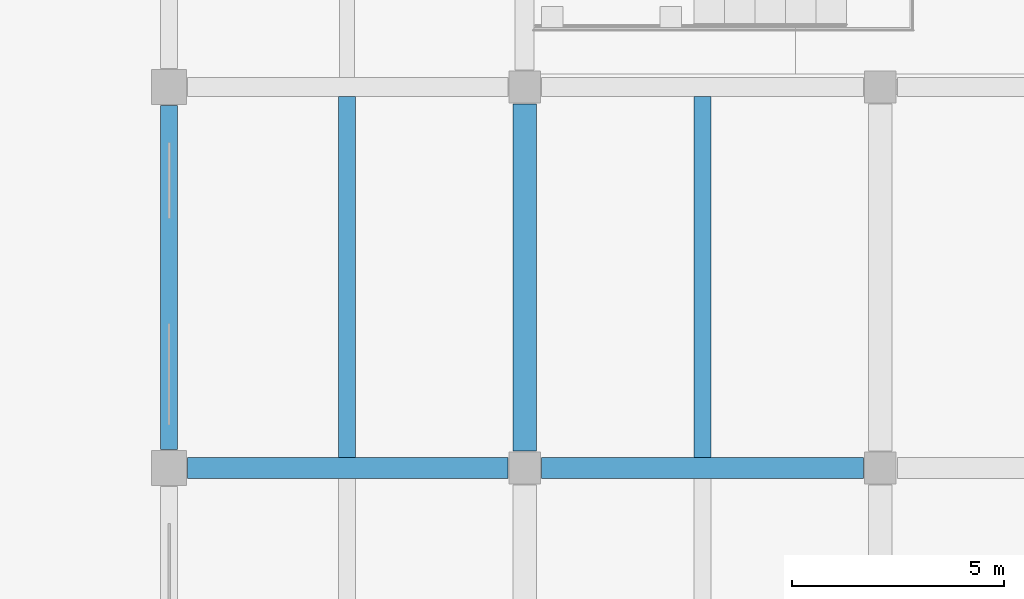
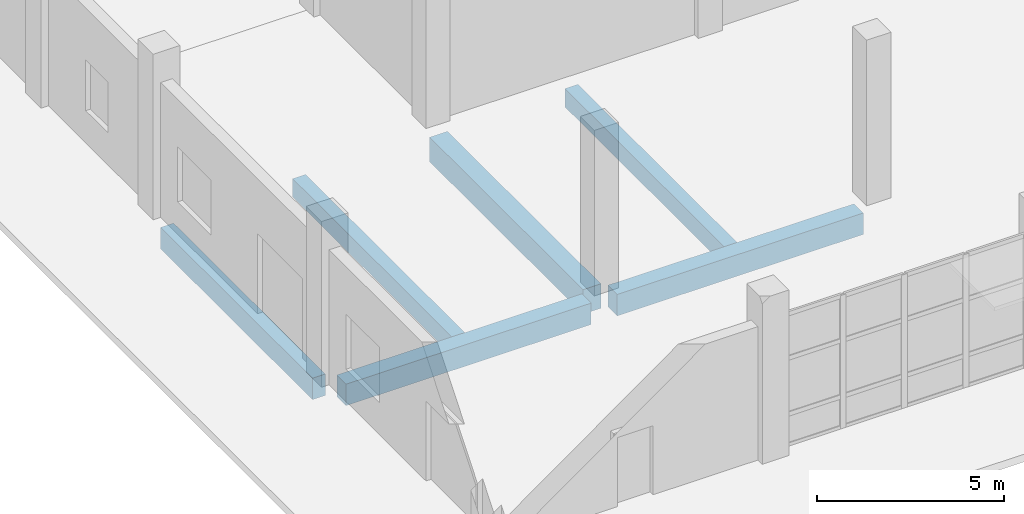
# One storey, part 5 of 78: 6 beams.
"""IFC4 building model written with IfcOpenShell, lengths in metres."""

from ifc_helpers import new_model, si_unit, direction, frame, origin, origin_2d, place, context, subcontext, project, spatial, rectangle, extrude, material, material_profile, profile_set, type_object, element, save


model = new_model("IFC4")

# Units and contexts
model_context = context("Model", 3, precision=1e-05, world=origin(), true_north=direction((0.0, 1.0)))
body_context = subcontext(model_context, "Body", "Model", "MODEL_VIEW")
ifc_project = project(units=[si_unit("LENGTHUNIT", "METRE"), si_unit("AREAUNIT", "SQUARE_METRE"), si_unit("VOLUMEUNIT", "CUBIC_METRE"), si_unit("PLANEANGLEUNIT", "RADIAN"), si_unit("MASSUNIT", "GRAM", prefix="KILO")], contexts=[model_context])

# Site, building, storey
site_placement = place(None, origin())
site = spatial("IfcSite", under=ifc_project, at=site_placement, CompositionType="ELEMENT")
building_placement = place(site_placement, origin())
building = spatial("IfcBuilding", under=site, at=building_placement, Name="Pellamere Symphony Hall", CompositionType="ELEMENT")
storey_placement = place(building_placement, origin())
storey = spatial("IfcBuildingStorey", under=building, at=storey_placement, Name="L00", CompositionType="ELEMENT", Elevation=0.0)

# Beams
ifc_material = material(Name="Concrete 40 MPa", Category="concrete")
ifc_material_profile_1 = material_profile(ifc_material, rectangle(XDim=0.550048828125, YDim=0.800048828125, at=origin_2d()), Name="RC 550x800")
ifc_profile_set_1 = profile_set([ifc_material_profile_1], Name="Concrete 40 MPa")
beam_type_1 = type_object("IfcBeamType", Name="RC CB-05 550x800", PredefinedType="BEAM", material=ifc_profile_set_1)
beam_1_placement = place(storey_placement, frame((8.39990234375, 9.39990234375, -0.699951171875), z_axis=(0.0, 1.0, 0.0), x_axis=(-1.0, 0.0, 0.0)))
element("IfcBeam", 1, at=beam_1_placement, inside=storey, type_object=beam_type_1, Name="Girder CB-05-Y0205 (L00)", PredefinedType="BEAM", context=body_context, shape_type="SweptSolid", body=[
    extrude(rectangle(XDim=0.550048828125, YDim=0.800048828125, at=origin_2d()), origin(), (0.0, 0.0, 1.0), 8.2001953125),
])
ifc_material_profile_2 = material_profile(ifc_material, rectangle(XDim=0.5, YDim=0.699951171875, at=origin_2d()), Name="RC 500x700")
ifc_profile_set_2 = profile_set([ifc_material_profile_2], Name="Concrete 40 MPa")
beam_type_2 = type_object("IfcBeamType", Name="RC CB-07 500x700", PredefinedType="BEAM", material=ifc_profile_set_2)
beam_2_placement = place(storey_placement, frame((0.43994140625, 9.0, -0.64990234375), z_axis=(1.0, 0.0, 0.0), x_axis=(0.0, 1.0, 0.0)))
element("IfcBeam", 2, at=beam_2_placement, inside=storey, type_object=beam_type_2, Name="Girder CB-07-X0006 (L00)", PredefinedType="BEAM", context=body_context, shape_type="SweptSolid", body=[
    extrude(rectangle(XDim=0.5, YDim=0.699951171875, at=origin_2d()), origin(), (0.0, 0.0, 1.0), 7.56005859375),
])
beam_3_placement = place(storey_placement, frame((8.800048828125, 9.0, -0.64990234375), z_axis=(1.0, 0.0, 0.0), x_axis=(0.0, 1.0, 0.0)))
element("IfcBeam", 3, at=beam_3_placement, inside=storey, type_object=beam_type_2, Name="Girder CB-07-X0007 (L00)", PredefinedType="BEAM", context=body_context, shape_type="SweptSolid", body=[
    extrude(rectangle(XDim=0.5, YDim=0.699951171875, at=origin_2d()), origin(), (0.0, 0.0, 1.0), 7.599853515625),
])
ifc_material_profile_3 = material_profile(ifc_material, rectangle(XDim=0.39990234375, YDim=0.60009765625, at=origin_2d()), Name="RC 400x600")
ifc_profile_set_3 = profile_set([ifc_material_profile_3], Name="Concrete 40 MPa")
beam_type_3 = type_object("IfcBeamType", Name="RC CB-09 400x600", PredefinedType="BEAM", material=ifc_profile_set_3)
for number, where, z_axis, x_axis, name in (
    (4, (4.199951171875, 9.25, -0.614990234375), (0.0, 1.0, 0.0), (-1.0, 0.0, 0.0), "Secondary Floor Beam CB-09-M0001 (L00)"),
    (5, (12.60009765625, 9.25, -0.614990234375), (0.0, 1.0, 0.0), (-1.0, 0.0, 0.0), "Secondary Floor Beam CB-09-M0101 (L00)"),
):
    element("IfcBeam", number, at=place(storey_placement, frame(where, z_axis=z_axis, x_axis=x_axis)), inside=storey, type_object=beam_type_3, Name=name, PredefinedType="BEAM", context=body_context, shape_type="SweptSolid", body=[
        extrude(rectangle(XDim=0.39990234375, YDim=0.60009765625, at=origin_2d()), origin(), (0.0, 0.0, 1.0), 8.52490234375),
    ])
ifc_material_profile_4 = material_profile(ifc_material, rectangle(XDim=0.39990234375, YDim=0.699951171875, at=origin_2d()), Name="RC 400x700")
ifc_profile_set_4 = profile_set([ifc_material_profile_4], Name="Concrete 40 MPa")
beam_type_4 = type_object("IfcBeamType", Name="RC CB-13 400x700", PredefinedType="SPANDREL", material=ifc_profile_set_4)
beam_4_placement = place(storey_placement, frame((0.0, 9.43994140625, -0.64990234375), z_axis=(0.0, 1.0, 0.0), x_axis=(-1.0, 0.0, 0.0)))
element("IfcBeam", 6, at=beam_4_placement, inside=storey, type_object=beam_type_4, Name="Girder CB-13-Y0198 (L00)", PredefinedType="SPANDREL", context=body_context, shape_type="SweptSolid", body=[
    extrude(rectangle(XDim=0.39990234375, YDim=0.699951171875, at=origin_2d()), origin(), (0.0, 0.0, 1.0), 8.1201171875),
])

save(model, "model.ifc")
